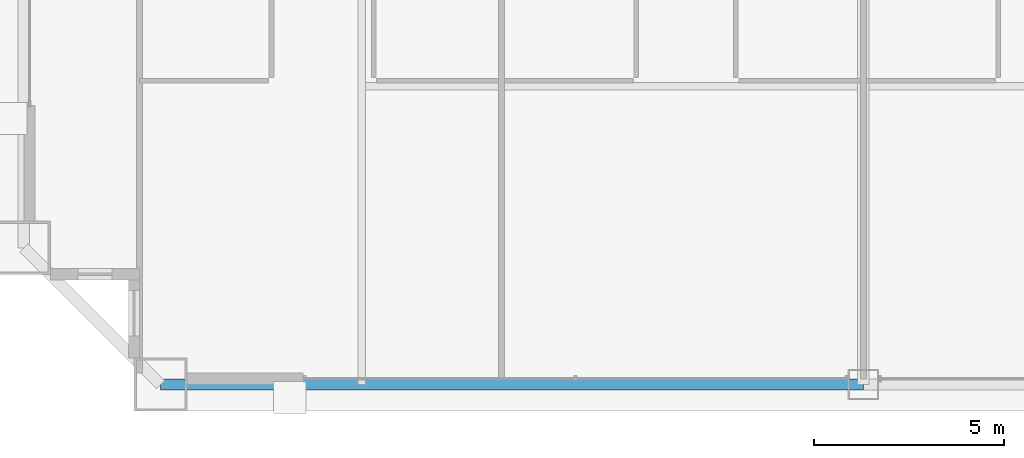
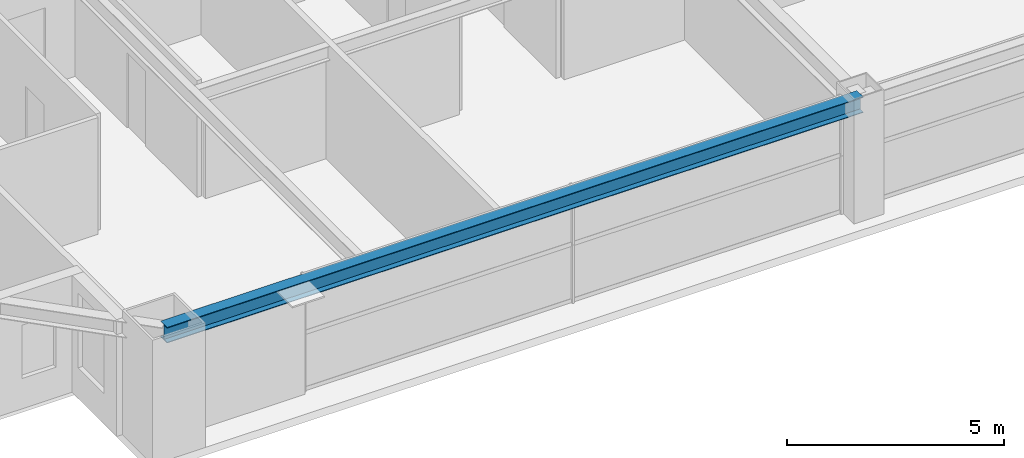
# One storey, part 5 of 38: 1 beam.
"""IFC4 building model written with IfcOpenShell, lengths in metres."""

from ifc_helpers import new_model, si_unit, direction, frame, origin, origin_2d, place, context, subcontext, project, spatial, i_section, extrude, source, transform, mapped, material, material_profile, profile_set, type_object, element, save


model = new_model("IFC4")

# Units and contexts
model_context = context("Model", 3, precision=1e-05, world=origin(), true_north=direction((0.0, 1.0)))
body_context = subcontext(model_context, "Body", "Model", "MODEL_VIEW")
ifc_project = project(units=[si_unit("LENGTHUNIT", "METRE"), si_unit("AREAUNIT", "SQUARE_METRE"), si_unit("VOLUMEUNIT", "CUBIC_METRE"), si_unit("PLANEANGLEUNIT", "RADIAN"), si_unit("MASSUNIT", "GRAM", prefix="KILO"), si_unit("THERMODYNAMICTEMPERATUREUNIT", "KELVIN"), si_unit("POWERUNIT", "WATT")], contexts=[model_context])

# Site, building, storey
site_placement = place(None, origin())
site = spatial("IfcSite", under=ifc_project, at=site_placement, CompositionType="ELEMENT")
building_placement = place(site_placement, origin())
building = spatial("IfcBuilding", under=site, at=building_placement, Name="Yuzanri Waterfront Tower", CompositionType="ELEMENT")
storey_placement = place(building_placement, frame((0.0, 0.0, 181.0)))
storey = spatial("IfcBuildingStorey", under=building, at=storey_placement, Name="L47", CompositionType="ELEMENT", Elevation=181.0)

# Beam
ifc_material = material(Name="Steel Q355B", Category="steel")
ifc_material_profile = material_profile(ifc_material, i_section(OverallWidth=0.300048828125, OverallDepth=0.43994140625, WebThickness=0.010986328125, FlangeThickness=0.01806640625, at=origin_2d()), Name="HM 440x300x11x18")
ifc_profile_set = profile_set([ifc_material_profile], Name="Steel Q355B")
beam_type = type_object("IfcBeamType", Name="Perimeter Spandrel Q355B HM 440x300", PredefinedType="SPANDREL", material=ifc_profile_set)
shared_shape = source(origin(), body_context, "Body", "SweptSolid", [
    extrude(i_section(OverallWidth=0.300048828125, OverallDepth=0.43994140625, WebThickness=0.010986328125, FlangeThickness=0.01806640625, at=origin_2d()), origin(), (0.0, 0.0, 1.0), 18.5),
])
beam_placement = place(storey_placement, frame((18.5, 3.699951171875, 3.06005859375), z_axis=(1.0, 0.0, 0.0), x_axis=(0.0, 1.0, 0.0)))
element("IfcBeam", 1, at=beam_placement, inside=storey, type_object=beam_type, Name="L47 Perimeter Spandrel S1-S2", PredefinedType="SPANDREL", context=body_context, shape_type="MappedRepresentation", body=[
    mapped(shared_shape, transform((0.0, 0.0, 0.0), scale=1.0)),
])

save(model, "model.ifc")
